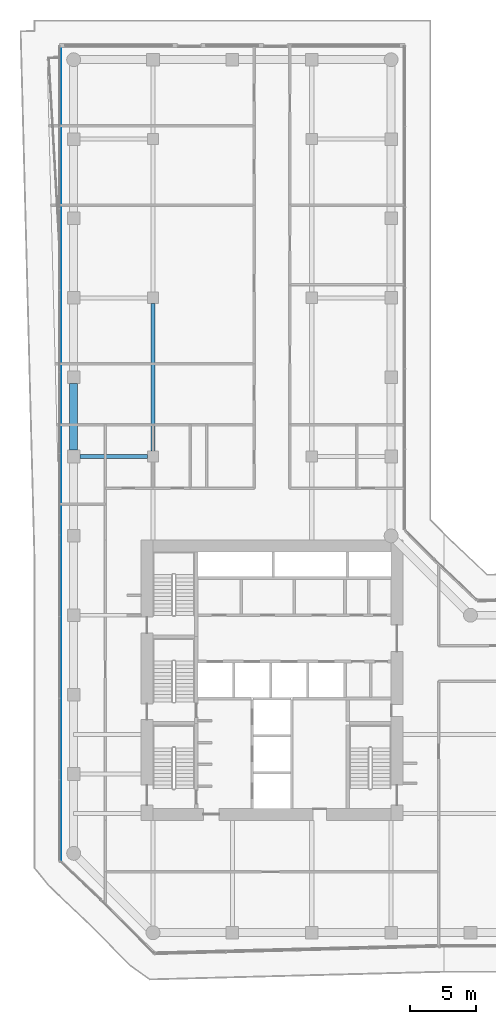
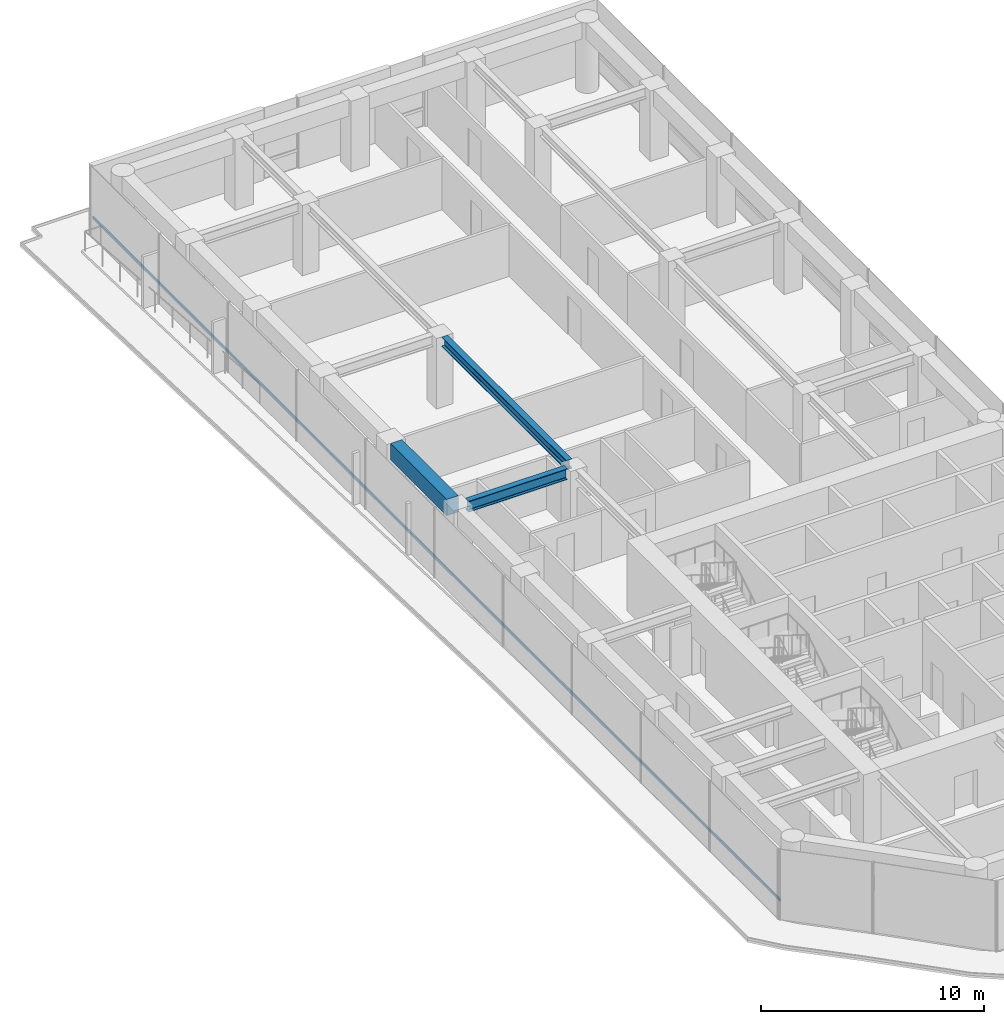
# One storey, part 14 of 29: 3 beams, 1 member, 1 element without a shape of its own.
"""IFC4 building model written with IfcOpenShell, lengths in metres."""

import ifcopenshell
import ifcopenshell.guid

model = None  # the IFC model being written
_history = None  # IfcOwnerHistory: only IFC2X3 demands one
_inside = {}  # id of a spatial element -> (the spatial element, [elements in it])
_under = {}  # id of a project, library or spatial element -> (it, [spatial elements below it])
_declared = {}  # id of a project -> (the project, [libraries it declares])
_typed = {}  # id of a type object -> (the type object, [elements of that type])
_made_of = {}  # id of a material, layer set ... -> (it, [elements and type objects made of it])


def new_model(schema):
    """Start an empty IFC model of exactly this schema.

    Asked for "IFC4X3", IfcOpenShell would pick the latest addendum, in which some entities
    have other attributes; the version numbers below select the first issue.
    IFC2X3 requires an IfcOwnerHistory on every rooted entity: one is made here for all.
    """
    global model, _history
    if schema == "IFC4X3":
        model = ifcopenshell.file(schema_version=(4, 3, 0, 0))
    else:
        model = ifcopenshell.file(schema=schema)
    _inside.clear()
    _under.clear()
    _declared.clear()
    _typed.clear()
    _made_of.clear()
    _history = None
    if model.schema == "IFC2X3":
        org = make("IfcOrganization", Name="unknown")
        user = make(
            "IfcPersonAndOrganization",
            ThePerson=make("IfcPerson", FamilyName="unknown"),
            TheOrganization=org,
        )
        app = make(
            "IfcApplication",
            ApplicationDeveloper=org,
            Version="unknown",
            ApplicationFullName="unknown",
            ApplicationIdentifier="unknown",
        )
        _history = make(
            "IfcOwnerHistory",
            OwningUser=user,
            OwningApplication=app,
            ChangeAction="ADDED",
            CreationDate=0,
        )
    return model


def make(cls, **values):
    """One entity of the class cls with the attributes given. An attribute that is None is left unset."""
    return model.create_entity(
        cls, **{name: value for name, value in values.items() if value is not None}
    )


def rooted(cls, **values):
    """An entity with a GlobalId (a new one), such as an element, a storey or a relation."""
    return make(cls, GlobalId=ifcopenshell.guid.new(), OwnerHistory=_history, **values)


def si_unit(unit_type, name, prefix=None):
    """IfcSIUnit, for example si_unit("LENGTHUNIT", "METRE", prefix="MILLI")."""
    return make("IfcSIUnit", UnitType=unit_type, Prefix=prefix, Name=name)


def assignment(units):
    """IfcUnitAssignment: the units of a project."""
    return None if units is None else make("IfcUnitAssignment", Units=units)


def point(xyz):
    """IfcCartesianPoint."""
    return None if xyz is None else make("IfcCartesianPoint", Coordinates=xyz)


def direction(xyz):
    """IfcDirection."""
    return None if xyz is None else make("IfcDirection", DirectionRatios=xyz)


def frame(location, z_axis=None, x_axis=None):
    """IfcAxis2Placement3D, a coordinate frame: its origin and axes. An axis left out is left unset."""
    return make(
        "IfcAxis2Placement3D",
        Location=point(location),
        Axis=direction(z_axis),
        RefDirection=direction(x_axis),
    )


def frame_2d(location, x_axis=None):
    """IfcAxis2Placement2D, a coordinate frame in the plane: its origin and x axis."""
    return make(
        "IfcAxis2Placement2D", Location=point(location), RefDirection=direction(x_axis)
    )


def origin():
    """The frame at (0, 0, 0) with its axes left unset."""
    return frame((0.0, 0.0, 0.0))


def origin_2d():
    """The frame at (0, 0) in the plane with its x axis left unset."""
    return frame_2d((0.0, 0.0))


def place(relative_to, where):
    """IfcLocalPlacement: puts the frame where relative to a parent placement (None: the world)."""
    return make(
        "IfcLocalPlacement", PlacementRelTo=relative_to, RelativePlacement=where
    )


def context(
    kind, dimensions, precision=None, world=None, true_north=None, identifier=None
):
    """IfcGeometricRepresentationContext, for example the 3D "Model" context."""
    return make(
        "IfcGeometricRepresentationContext",
        ContextIdentifier=identifier,
        ContextType=kind,
        CoordinateSpaceDimension=dimensions,
        Precision=precision,
        WorldCoordinateSystem=world,
        TrueNorth=true_north,
    )


def subcontext(parent, identifier, kind, view, scale=None):
    """IfcGeometricRepresentationSubContext, for example "Body" below "Model"."""
    return make(
        "IfcGeometricRepresentationSubContext",
        ContextIdentifier=identifier,
        ContextType=kind,
        ParentContext=parent,
        TargetScale=scale,
        TargetView=view,
    )


def project(units=None, contexts=None):
    """IfcProject with its units and contexts."""
    return rooted(
        "IfcProject",
        Name="project",
        RepresentationContexts=contexts,
        UnitsInContext=assignment(units),
    )


def spatial(cls, under=None, at=None, **own):
    """A site, building, storey or space (cls), placed at a placement, below another one or the project."""
    s = rooted(cls, ObjectPlacement=at, **own)
    if under is not None:
        _under.setdefault(under.id(), (under, []))[1].append(s)
    return s


def profile(cls, at=None, kind="AREA", **sizes):
    """A parametric profile (cls). Its sizes go by their IFC names, for example OverallWidth=200.0."""
    return make(cls, ProfileType=kind, Position=at, **sizes)


def rectangle(**sizes):
    """IfcRectangleProfileDef."""
    return profile("IfcRectangleProfileDef", **sizes)


def i_section(**sizes):
    """IfcIShapeProfileDef."""
    return profile("IfcIShapeProfileDef", **sizes)


def extrude(swept, where, along, depth):
    """IfcExtrudedAreaSolid: the profile swept, set in the frame where, extruded along a direction by depth."""
    return make(
        "IfcExtrudedAreaSolid",
        SweptArea=swept,
        Position=where,
        ExtrudedDirection=direction(along),
        Depth=depth,
    )


def shape(context_of_items, identifier, shape_type, items):
    """IfcShapeRepresentation: the items that make up one representation, for example the "Body"."""
    return make(
        "IfcShapeRepresentation",
        ContextOfItems=context_of_items,
        RepresentationIdentifier=identifier,
        RepresentationType=shape_type,
        Items=items,
    )


def material(Name=None, Category=None):
    """IfcMaterial."""
    return make("IfcMaterial", Name=Name, Category=Category)


def layer(
    of_material, thickness, ventilated=None, Name=None, Category=None, Priority=None
):
    """IfcMaterialLayer: one layer of a wall or slab, of a material (None: an air gap)."""
    return make(
        "IfcMaterialLayer",
        Material=of_material,
        LayerThickness=thickness,
        IsVentilated=ventilated,
        Name=Name,
        Category=Category,
        Priority=Priority,
    )


def layer_set(layers, Name=None):
    """IfcMaterialLayerSet."""
    return make("IfcMaterialLayerSet", MaterialLayers=layers, LayerSetName=Name)


def material_profile(
    of_material, cross_section, Name=None, Category=None, Priority=None
):
    """IfcMaterialProfile: a cross section and its material."""
    return make(
        "IfcMaterialProfile",
        Name=Name,
        Material=of_material,
        Profile=cross_section,
        Priority=Priority,
        Category=Category,
    )


def profile_set(profiles, Name=None, composite=None):
    """IfcMaterialProfileSet."""
    return make(
        "IfcMaterialProfileSet",
        Name=Name,
        MaterialProfiles=profiles,
        CompositeProfile=composite,
    )


def made_of(thing, what):
    """Note that an element or type object is made of a material, layer set ...; save() writes the relation."""
    if what is not None:
        _made_of.setdefault(what.id(), (what, []))[1].append(thing)
    return thing


def type_object(cls, material=None, **own):
    """A type object (cls), such as IfcWallType, which elements share."""
    return made_of(rooted(cls, **own), material)


def element(
    cls,
    number,
    at=None,
    inside=None,
    cuts=None,
    type_object=None,
    material=None,
    context=None,
    identifier="Body",
    shape_type=None,
    held_by="IfcProductDefinitionShape",
    body=None,
    shapes=None,
    **own,
):
    """One element of the class cls, such as IfcWall. Its Tag is "e" and its number.

    at: its placement. inside: the storey or other place that contains it. cuts: it is an
    opening in that element (IfcRelVoidsElement). A single representation is given by context,
    identifier, shape_type and body (its items); several are given by shapes. held_by: the class
    of the entity that holds the representations. save() writes the other relations.
    """
    e = rooted(cls, Tag="e%d" % number, ObjectPlacement=at, **own)
    if body is not None:
        shapes = [shape(context, identifier, shape_type, body)]
    if shapes is not None:
        e.Representation = make(held_by, Representations=shapes)
    if inside is not None:
        _inside.setdefault(inside.id(), (inside, []))[1].append(e)
    if cuts is not None:
        rooted(
            "IfcRelVoidsElement", RelatingBuildingElement=cuts, RelatedOpeningElement=e
        )
    if type_object is not None:
        _typed.setdefault(type_object.id(), (type_object, []))[1].append(e)
    return made_of(e, material)


def aggregate(whole, parts):
    """IfcRelAggregates: a whole, such as a stair, and the parts it consists of."""
    return rooted("IfcRelAggregates", RelatingObject=whole, RelatedObjects=parts)


def save(model, path):
    """Write the relations noted so far, then the file.

    IfcRelAggregates (storeys below a building ...), IfcRelContainedInSpatialStructure (elements
    in a storey), IfcRelDefinesByType, IfcRelAssociatesMaterial and IfcRelDeclares: one each for
    every whole, place, type object, material and project.
    """
    for whole, parts in _under.values():
        aggregate(whole, parts)
    for where, things in _inside.values():
        rooted(
            "IfcRelContainedInSpatialStructure",
            RelatedElements=things,
            RelatingStructure=where,
        )
    for kind, things in _typed.values():
        rooted("IfcRelDefinesByType", RelatedObjects=things, RelatingType=kind)
    for what, things in _made_of.values():
        rooted("IfcRelAssociatesMaterial", RelatedObjects=things, RelatingMaterial=what)
    for by, libraries in _declared.values():
        rooted("IfcRelDeclares", RelatingContext=by, RelatedDefinitions=libraries)
    model.write(path)


model = new_model("IFC4")

# Units and contexts
model_context = context("Model", 3, precision=1e-05, world=origin(), true_north=direction((0.0, 1.0)))
body_context = subcontext(model_context, "Body", "Model", "MODEL_VIEW")
ifc_project = project(units=[si_unit("LENGTHUNIT", "METRE"), si_unit("AREAUNIT", "SQUARE_METRE"), si_unit("VOLUMEUNIT", "CUBIC_METRE"), si_unit("PLANEANGLEUNIT", "RADIAN"), si_unit("MASSUNIT", "GRAM", prefix="KILO")], contexts=[model_context])

# Site, building, storey
site_placement = place(None, origin())
site = spatial("IfcSite", under=ifc_project, at=site_placement, CompositionType="ELEMENT")
building_placement = place(site_placement, origin())
building = spatial("IfcBuilding", under=site, at=building_placement, Name="Welwitschia Terrace Campus", CompositionType="ELEMENT")
storey_placement = place(building_placement, frame((0.0, 0.0, 58.39990234375)))
storey = spatial("IfcBuildingStorey", under=building, at=storey_placement, Name="L13", CompositionType="ELEMENT", Elevation=58.39990234375)

# Beams
ifc_material_1 = material(Name="Steel S355", Category="steel")
ifc_material_profile_1 = material_profile(ifc_material_1, i_section(OverallWidth=0.305908203125, OverallDepth=0.52392578125, WebThickness=0.02099609375, FlangeThickness=0.0400390625, FilletRadius=0.027099609375, at=origin_2d()))
ifc_profile_set_1 = profile_set([ifc_material_profile_1], Name="Steel S355")
beam_type_1 = type_object("IfcBeamType", Name="Interior girder HE 500 M", PredefinedType="BEAM", material=ifc_profile_set_1)
beam_1_placement = place(storey_placement, frame((6.0, 32.425537109375, 3.588134765625), z_axis=(0.0, 1.0, 0.0), x_axis=(-1.0, 0.0, 0.0)))
element("IfcBeam", 1, at=beam_1_placement, inside=storey, type_object=beam_type_1, Name="Girder GB2", PredefinedType="BEAM", context=body_context, shape_type="SweptSolid", body=[
    extrude(i_section(OverallWidth=0.305908203125, OverallDepth=0.52392578125, WebThickness=0.02099609375, FlangeThickness=0.0400390625, FilletRadius=0.027099609375, at=origin_2d()), origin(), (0.0, 0.0, 1.0), 11.14892578125),
])
ifc_material_2 = material(Name="Steel S355", Category="steel")
ifc_material_profile_2 = material_profile(ifc_material_2, i_section(OverallWidth=0.300048828125, OverallDepth=0.60009765625, WebThickness=0.015380859375, FlangeThickness=0.030029296875, FilletRadius=0.027099609375, at=origin_2d()))
ifc_profile_set_2 = profile_set([ifc_material_profile_2], Name="Steel S355")
beam_type_2 = type_object("IfcBeamType", Name="Primary beam HE 600 B", PredefinedType="BEAM", material=ifc_profile_set_2)
beam_2_placement = place(storey_placement, frame((0.4755859375, 32.0, 3.550048828125), z_axis=(1.0, 0.0, 0.0), x_axis=(0.0, 1.0, 0.0)))
element("IfcBeam", 2, at=beam_2_placement, inside=storey, type_object=beam_type_2, Name="Primary beam PB2", PredefinedType="BEAM", context=body_context, shape_type="SweptSolid", body=[
    extrude(i_section(OverallWidth=0.300048828125, OverallDepth=0.60009765625, WebThickness=0.015380859375, FlangeThickness=0.030029296875, FilletRadius=0.027099609375, at=origin_2d()), origin(), (0.0, 0.0, 1.0), 5.098876953125),
])
ifc_material_3 = material(Name="Concrete C60/75", Category="concrete")
ifc_material_profile_3 = material_profile(ifc_material_3, rectangle(XDim=0.60009765625, YDim=0.89990234375, at=origin_2d()))
ifc_profile_set_3 = profile_set([ifc_material_profile_3], Name="Concrete C60/75")
beam_type_3 = type_object("IfcBeamType", Name="Ring spandrel 600x900", PredefinedType="SPANDREL", material=ifc_profile_set_3)
beam_3_placement = place(storey_placement, frame((0.0, 37.5244140625, 3.400146484375), z_axis=(0.0, -1.0, 0.0), x_axis=(1.0, 0.0, 0.0)))
element("IfcBeam", 3, at=beam_3_placement, inside=storey, type_object=beam_type_3, Name="Spandrel SP2", PredefinedType="SPANDREL", context=body_context, shape_type="SweptSolid", body=[
    extrude(rectangle(XDim=0.60009765625, YDim=0.89990234375, at=origin_2d()), origin(), (0.0, 0.0, 1.0), 5.048828125),
])

# Curtain wall, member
ifc_material_4 = material(Name="Bronze anodised aluminium", Category="aluminium")
ifc_layer = layer(ifc_material_4, 0.1201171875)
ifc_layer_set = layer_set([ifc_layer], Name="Bronze anodised aluminium")
curtain_wall_type = type_object("IfcCurtainWallType", Name="Curtain wall CW2 tower 6000", PredefinedType="NOTDEFINED", material=ifc_layer_set)
curtain_wall_placement = place(storey_placement, origin())
curtain_wall = element("IfcCurtainWall", 4, at=curtain_wall_placement, inside=storey, type_object=curtain_wall_type, Name="CW L13.12.0", PredefinedType="NOTDEFINED")
ifc_material_5 = material(Name="Bronze anodised aluminium", Category="aluminium")
ifc_material_profile_4 = material_profile(ifc_material_5, rectangle(XDim=0.06005859375, YDim=0.14990234375, at=origin_2d()))
ifc_profile_set_4 = profile_set([ifc_material_profile_4], Name="Bronze anodised aluminium")
member_type = type_object("IfcMemberType", Name="Transom 60x150", PredefinedType="USERDEFINED", material=ifc_profile_set_4)
member_placement = place(storey_placement, frame((-0.968017578125, 62.998046875, 1.0), z_axis=(0.0, -1.0, 0.0), x_axis=(1.0, 0.0, 0.0)))
member = element("IfcMember", 5, at=member_placement, type_object=member_type, Name="Transom L13.12.0", ObjectType="TRANSOM", PredefinedType="USERDEFINED", context=body_context, shape_type="SweptSolid", body=[
    extrude(rectangle(XDim=0.06005859375, YDim=0.14990234375, at=origin_2d()), origin(), (0.0, 0.0, 1.0), 61.536376953125),
])
aggregate(curtain_wall, [member])

save(model, "model.ifc")
